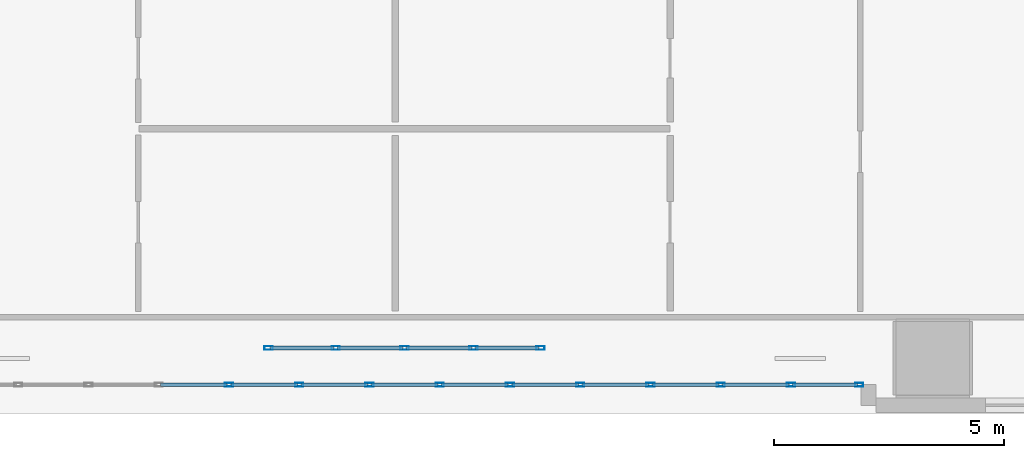
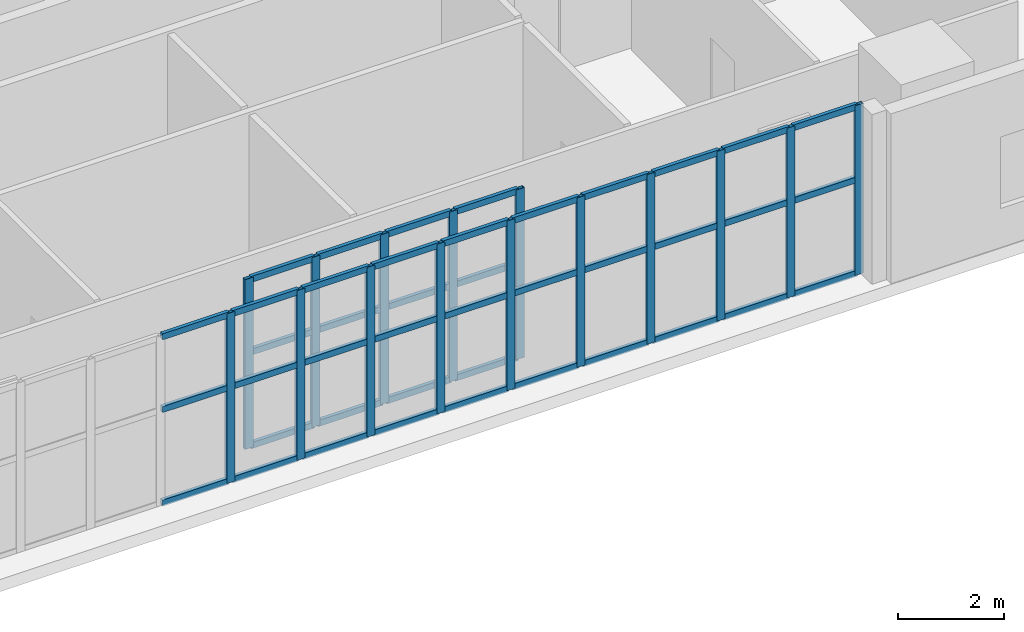
# One storey, part 4 of 24: 57 members, 2 elements without a shape of their own.
"""IFC4 building model written with IfcOpenShell, lengths in metres."""

from ifc_helpers import new_model, si_unit, direction, frame, origin, origin_2d, place, context, subcontext, project, spatial, hollow_rectangle, extrude, material, layer, layer_set, material_profile, profile_set, type_object, element, aggregate, save


model = new_model("IFC4")

# Units and contexts
model_context = context("Model", 3, precision=1e-05, world=origin(), true_north=direction((0.0, 1.0)))
body_context = subcontext(model_context, "Body", "Model", "MODEL_VIEW")
ifc_project = project(units=[si_unit("LENGTHUNIT", "METRE"), si_unit("AREAUNIT", "SQUARE_METRE"), si_unit("VOLUMEUNIT", "CUBIC_METRE"), si_unit("PLANEANGLEUNIT", "RADIAN"), si_unit("MASSUNIT", "GRAM", prefix="KILO")], contexts=[model_context])

# Site, building, storey
site_placement = place(None, origin())
site = spatial("IfcSite", under=ifc_project, at=site_placement, CompositionType="ELEMENT")
building_placement = place(site_placement, origin())
building = spatial("IfcBuilding", under=site, at=building_placement, Name="Solanera Arch Residences", CompositionType="ELEMENT")
storey_placement = place(building_placement, frame((0.0, 0.0, 5.199951171875)))
storey = spatial("IfcBuildingStorey", under=building, at=storey_placement, Name="L01", CompositionType="ELEMENT", Elevation=5.199951171875)

# Curtain wall, members
ifc_material_1 = material(Name="Anodised Aluminium Alloy 6063-T6", Category="aluminium")
ifc_layer = layer(ifc_material_1, 0.179931640625)
ifc_layer_set = layer_set([ifc_layer], Name="Anodised Aluminium Alloy 6063-T6")
curtain_wall_type = type_object("IfcCurtainWallType", Name="CW-1 Arch Portal Unitised Glazing", PredefinedType="USERDEFINED", material=ifc_layer_set)
curtain_wall_1_placement = place(storey_placement, origin())
curtain_wall_1 = element("IfcCurtainWall", 1, at=curtain_wall_1_placement, inside=storey, type_object=curtain_wall_type, Name="L01 Arch Portal Unitised Curtain Wall", ObjectType="CURTAIN_WALL", PredefinedType="USERDEFINED")
ifc_material_2 = material(Name="Anodised Aluminium Alloy 6063-T6", Category="aluminium")
ifc_material_profile_1 = material_profile(ifc_material_2, hollow_rectangle(XDim=0.080078125, YDim=0.179931640625, WallThickness=0.00390625, at=origin_2d()))
ifc_profile_set_1 = profile_set([ifc_material_profile_1], Name="Anodised Aluminium Alloy 6063-T6")
member_type_1 = type_object("IfcMemberType", Name="Curtain Wall Mullion ALU-MUL-80X180", PredefinedType="MULLION", material=ifc_profile_set_1)
member_1_placement = place(storey_placement, frame((34.89990234375, 10.6298828125, 0.0), z_axis=(0.0, 0.0, 1.0), x_axis=(0.0, -1.0, 0.0)))
member_1 = element("IfcMember", 2, at=member_1_placement, type_object=member_type_1, Name="CW-1 mullion 1", PredefinedType="MULLION", context=body_context, shape_type="SweptSolid", body=[
    extrude(hollow_rectangle(XDim=0.080078125, YDim=0.179931640625, WallThickness=0.00390625, at=origin_2d()), origin(), (0.0, 0.0, 1.0), 3.920166015625),
])
member_2_placement = place(storey_placement, frame((33.410888671875, 10.6298828125, 0.0), z_axis=(0.0, 0.0, 1.0), x_axis=(0.0, -1.0, 0.0)))
member_2 = element("IfcMember", 3, at=member_2_placement, type_object=member_type_1, Name="CW-1 mullion 2", PredefinedType="MULLION", context=body_context, shape_type="SweptSolid", body=[
    extrude(hollow_rectangle(XDim=0.080078125, YDim=0.179931640625, WallThickness=0.00390625, at=origin_2d()), origin(), (0.0, 0.0, 1.0), 3.920166015625),
])
member_3_placement = place(storey_placement, frame((31.881591796875, 10.6298828125, 0.0), z_axis=(0.0, 0.0, 1.0), x_axis=(0.0, -1.0, 0.0)))
member_3 = element("IfcMember", 4, at=member_3_placement, type_object=member_type_1, Name="CW-1 mullion 3", PredefinedType="MULLION", context=body_context, shape_type="SweptSolid", body=[
    extrude(hollow_rectangle(XDim=0.080078125, YDim=0.179931640625, WallThickness=0.00390625, at=origin_2d()), origin(), (0.0, 0.0, 1.0), 3.920166015625),
])
member_4_placement = place(storey_placement, frame((30.352294921875, 10.6298828125, 0.0), z_axis=(0.0, 0.0, 1.0), x_axis=(0.0, -1.0, 0.0)))
member_4 = element("IfcMember", 5, at=member_4_placement, type_object=member_type_1, Name="CW-1 mullion 4", PredefinedType="MULLION", context=body_context, shape_type="SweptSolid", body=[
    extrude(hollow_rectangle(XDim=0.080078125, YDim=0.179931640625, WallThickness=0.00390625, at=origin_2d()), origin(), (0.0, 0.0, 1.0), 3.920166015625),
])
member_5_placement = place(storey_placement, frame((28.822998046875, 10.6298828125, 0.0), z_axis=(0.0, 0.0, 1.0), x_axis=(0.0, -1.0, 0.0)))
member_5 = element("IfcMember", 6, at=member_5_placement, type_object=member_type_1, Name="CW-1 mullion 5", PredefinedType="MULLION", context=body_context, shape_type="SweptSolid", body=[
    extrude(hollow_rectangle(XDim=0.080078125, YDim=0.179931640625, WallThickness=0.00390625, at=origin_2d()), origin(), (0.0, 0.0, 1.0), 3.920166015625),
])
member_6_placement = place(storey_placement, frame((27.2939453125, 10.6298828125, 0.0), z_axis=(0.0, 0.0, 1.0), x_axis=(0.0, -1.0, 0.0)))
member_6 = element("IfcMember", 7, at=member_6_placement, type_object=member_type_1, Name="CW-1 mullion 6", PredefinedType="MULLION", context=body_context, shape_type="SweptSolid", body=[
    extrude(hollow_rectangle(XDim=0.080078125, YDim=0.179931640625, WallThickness=0.00390625, at=origin_2d()), origin(), (0.0, 0.0, 1.0), 3.920166015625),
])
member_7_placement = place(storey_placement, frame((25.7646484375, 10.6298828125, 0.0), z_axis=(0.0, 0.0, 1.0), x_axis=(0.0, -1.0, 0.0)))
member_7 = element("IfcMember", 8, at=member_7_placement, type_object=member_type_1, Name="CW-1 mullion 7", PredefinedType="MULLION", context=body_context, shape_type="SweptSolid", body=[
    extrude(hollow_rectangle(XDim=0.080078125, YDim=0.179931640625, WallThickness=0.00390625, at=origin_2d()), origin(), (0.0, 0.0, 1.0), 3.920166015625),
])
member_8_placement = place(storey_placement, frame((24.2353515625, 10.6298828125, 0.0), z_axis=(0.0, 0.0, 1.0), x_axis=(0.0, -1.0, 0.0)))
member_8 = element("IfcMember", 9, at=member_8_placement, type_object=member_type_1, Name="CW-1 mullion 8", PredefinedType="MULLION", context=body_context, shape_type="SweptSolid", body=[
    extrude(hollow_rectangle(XDim=0.080078125, YDim=0.179931640625, WallThickness=0.00390625, at=origin_2d()), origin(), (0.0, 0.0, 1.0), 3.920166015625),
])
member_9_placement = place(storey_placement, frame((22.7060546875, 10.6298828125, 0.0), z_axis=(0.0, 0.0, 1.0), x_axis=(0.0, -1.0, 0.0)))
member_9 = element("IfcMember", 10, at=member_9_placement, type_object=member_type_1, Name="CW-1 mullion 9", PredefinedType="MULLION", context=body_context, shape_type="SweptSolid", body=[
    extrude(hollow_rectangle(XDim=0.080078125, YDim=0.179931640625, WallThickness=0.00390625, at=origin_2d()), origin(), (0.0, 0.0, 1.0), 3.920166015625),
])
member_10_placement = place(storey_placement, frame((21.177001953125, 10.6298828125, 0.0), z_axis=(0.0, 0.0, 1.0), x_axis=(0.0, -1.0, 0.0)))
member_10 = element("IfcMember", 11, at=member_10_placement, type_object=member_type_1, Name="CW-1 mullion 10", PredefinedType="MULLION", context=body_context, shape_type="SweptSolid", body=[
    extrude(hollow_rectangle(XDim=0.080078125, YDim=0.179931640625, WallThickness=0.00390625, at=origin_2d()), origin(), (0.0, 0.0, 1.0), 3.920166015625),
])

curtain_wall_2_placement = place(storey_placement, origin())
curtain_wall_2 = element("IfcCurtainWall", 12, at=curtain_wall_2_placement, inside=storey, type_object=curtain_wall_type, Name="L01 Arch Vestibule Windscreen Curtain Wall", ObjectType="CURTAIN_WALL", PredefinedType="USERDEFINED")
member_11_placement = place(storey_placement, frame((27.9599609375, 11.429931640625, 0.0), z_axis=(0.0, 0.0, 1.0), x_axis=(0.0, -1.0, 0.0)))
member_11 = element("IfcMember", 13, at=member_11_placement, type_object=member_type_1, Name="CW-1 mullion 1", PredefinedType="MULLION", context=body_context, shape_type="SweptSolid", body=[
    extrude(hollow_rectangle(XDim=0.080078125, YDim=0.179931640625, WallThickness=0.00390625, at=origin_2d()), origin(), (0.0, 0.0, 1.0), 3.920166015625),
])
member_12_placement = place(storey_placement, frame((26.5, 11.429931640625, 0.0), z_axis=(0.0, 0.0, 1.0), x_axis=(0.0, -1.0, 0.0)))
member_12 = element("IfcMember", 14, at=member_12_placement, type_object=member_type_1, Name="CW-1 mullion 2", PredefinedType="MULLION", context=body_context, shape_type="SweptSolid", body=[
    extrude(hollow_rectangle(XDim=0.080078125, YDim=0.179931640625, WallThickness=0.00390625, at=origin_2d()), origin(), (0.0, 0.0, 1.0), 3.920166015625),
])
member_13_placement = place(storey_placement, frame((25.0, 11.429931640625, 0.0), z_axis=(0.0, 0.0, 1.0), x_axis=(0.0, -1.0, 0.0)))
member_13 = element("IfcMember", 15, at=member_13_placement, type_object=member_type_1, Name="CW-1 mullion 3", PredefinedType="MULLION", context=body_context, shape_type="SweptSolid", body=[
    extrude(hollow_rectangle(XDim=0.080078125, YDim=0.179931640625, WallThickness=0.00390625, at=origin_2d()), origin(), (0.0, 0.0, 1.0), 3.920166015625),
])
member_14_placement = place(storey_placement, frame((23.5, 11.429931640625, 0.0), z_axis=(0.0, 0.0, 1.0), x_axis=(0.0, -1.0, 0.0)))
member_14 = element("IfcMember", 16, at=member_14_placement, type_object=member_type_1, Name="CW-1 mullion 4", PredefinedType="MULLION", context=body_context, shape_type="SweptSolid", body=[
    extrude(hollow_rectangle(XDim=0.080078125, YDim=0.179931640625, WallThickness=0.00390625, at=origin_2d()), origin(), (0.0, 0.0, 1.0), 3.920166015625),
])
member_15_placement = place(storey_placement, frame((22.0400390625, 11.429931640625, 0.0), z_axis=(0.0, 0.0, 1.0), x_axis=(0.0, -1.0, 0.0)))
member_15 = element("IfcMember", 17, at=member_15_placement, type_object=member_type_1, Name="CW-1 mullion 5", PredefinedType="MULLION", context=body_context, shape_type="SweptSolid", body=[
    extrude(hollow_rectangle(XDim=0.080078125, YDim=0.179931640625, WallThickness=0.00390625, at=origin_2d()), origin(), (0.0, 0.0, 1.0), 3.920166015625),
])

# Member
ifc_material_3 = material(Name="Anodised Aluminium Alloy 6063-T6", Category="aluminium")
ifc_material_profile_2 = material_profile(ifc_material_3, hollow_rectangle(XDim=0.080078125, YDim=0.139892578125, WallThickness=0.00390625, at=origin_2d()))
ifc_profile_set_2 = profile_set([ifc_material_profile_2], Name="Anodised Aluminium Alloy 6063-T6")
member_type_2 = type_object("IfcMemberType", Name="Curtain Wall Transom ALU-TRN-80X140", PredefinedType="USERDEFINED", material=ifc_profile_set_2)
member_16_placement = place(storey_placement, frame((34.860107421875, 10.6298828125, 0.0400390625), z_axis=(-1.0, 0.0, 0.0), x_axis=(0.0, -1.0, 0.0)))
member_16 = element("IfcMember", 18, at=member_16_placement, type_object=member_type_2, Name="CW-1 transom 1.1", ObjectType="TRANSOM", PredefinedType="USERDEFINED", context=body_context, shape_type="SweptSolid", body=[
    extrude(hollow_rectangle(XDim=0.080078125, YDim=0.139892578125, WallThickness=0.00390625, at=origin_2d()), origin(), (0.0, 0.0, 1.0), 1.409423828125),
])

member_17_placement = place(storey_placement, frame((34.860107421875, 10.6298828125, 2.199951171875), z_axis=(-1.0, 0.0, 0.0), x_axis=(0.0, -1.0, 0.0)))
member_17 = element("IfcMember", 19, at=member_17_placement, type_object=member_type_2, Name="CW-1 transom 1.2", ObjectType="TRANSOM", PredefinedType="USERDEFINED", context=body_context, shape_type="SweptSolid", body=[
    extrude(hollow_rectangle(XDim=0.080078125, YDim=0.139892578125, WallThickness=0.00390625, at=origin_2d()), origin(), (0.0, 0.0, 1.0), 1.409423828125),
])

member_18_placement = place(storey_placement, frame((34.860107421875, 10.6298828125, 3.880126953125), z_axis=(-1.0, 0.0, 0.0), x_axis=(0.0, -1.0, 0.0)))
member_18 = element("IfcMember", 20, at=member_18_placement, type_object=member_type_2, Name="CW-1 transom 1.3", ObjectType="TRANSOM", PredefinedType="USERDEFINED", context=body_context, shape_type="SweptSolid", body=[
    extrude(hollow_rectangle(XDim=0.080078125, YDim=0.139892578125, WallThickness=0.00390625, at=origin_2d()), origin(), (0.0, 0.0, 1.0), 1.409423828125),
])

member_19_placement = place(storey_placement, frame((33.370849609375, 10.6298828125, 0.0400390625), z_axis=(-1.0, 0.0, 0.0), x_axis=(0.0, -1.0, 0.0)))
member_19 = element("IfcMember", 21, at=member_19_placement, type_object=member_type_2, Name="CW-1 transom 2.1", ObjectType="TRANSOM", PredefinedType="USERDEFINED", context=body_context, shape_type="SweptSolid", body=[
    extrude(hollow_rectangle(XDim=0.080078125, YDim=0.139892578125, WallThickness=0.00390625, at=origin_2d()), origin(), (0.0, 0.0, 1.0), 1.44921875),
])

member_20_placement = place(storey_placement, frame((33.370849609375, 10.6298828125, 2.199951171875), z_axis=(-1.0, 0.0, 0.0), x_axis=(0.0, -1.0, 0.0)))
member_20 = element("IfcMember", 22, at=member_20_placement, type_object=member_type_2, Name="CW-1 transom 2.2", ObjectType="TRANSOM", PredefinedType="USERDEFINED", context=body_context, shape_type="SweptSolid", body=[
    extrude(hollow_rectangle(XDim=0.080078125, YDim=0.139892578125, WallThickness=0.00390625, at=origin_2d()), origin(), (0.0, 0.0, 1.0), 1.44921875),
])

member_21_placement = place(storey_placement, frame((33.370849609375, 10.6298828125, 3.880126953125), z_axis=(-1.0, 0.0, 0.0), x_axis=(0.0, -1.0, 0.0)))
member_21 = element("IfcMember", 23, at=member_21_placement, type_object=member_type_2, Name="CW-1 transom 2.3", ObjectType="TRANSOM", PredefinedType="USERDEFINED", context=body_context, shape_type="SweptSolid", body=[
    extrude(hollow_rectangle(XDim=0.080078125, YDim=0.139892578125, WallThickness=0.00390625, at=origin_2d()), origin(), (0.0, 0.0, 1.0), 1.44921875),
])

member_22_placement = place(storey_placement, frame((31.841552734375, 10.6298828125, 0.0400390625), z_axis=(-1.0, 0.0, 0.0), x_axis=(0.0, -1.0, 0.0)))
member_22 = element("IfcMember", 24, at=member_22_placement, type_object=member_type_2, Name="CW-1 transom 3.1", ObjectType="TRANSOM", PredefinedType="USERDEFINED", context=body_context, shape_type="SweptSolid", body=[
    extrude(hollow_rectangle(XDim=0.080078125, YDim=0.139892578125, WallThickness=0.00390625, at=origin_2d()), origin(), (0.0, 0.0, 1.0), 1.44921875),
])

member_23_placement = place(storey_placement, frame((31.841552734375, 10.6298828125, 2.199951171875), z_axis=(-1.0, 0.0, 0.0), x_axis=(0.0, -1.0, 0.0)))
member_23 = element("IfcMember", 25, at=member_23_placement, type_object=member_type_2, Name="CW-1 transom 3.2", ObjectType="TRANSOM", PredefinedType="USERDEFINED", context=body_context, shape_type="SweptSolid", body=[
    extrude(hollow_rectangle(XDim=0.080078125, YDim=0.139892578125, WallThickness=0.00390625, at=origin_2d()), origin(), (0.0, 0.0, 1.0), 1.44921875),
])

member_24_placement = place(storey_placement, frame((31.841552734375, 10.6298828125, 3.880126953125), z_axis=(-1.0, 0.0, 0.0), x_axis=(0.0, -1.0, 0.0)))
member_24 = element("IfcMember", 26, at=member_24_placement, type_object=member_type_2, Name="CW-1 transom 3.3", ObjectType="TRANSOM", PredefinedType="USERDEFINED", context=body_context, shape_type="SweptSolid", body=[
    extrude(hollow_rectangle(XDim=0.080078125, YDim=0.139892578125, WallThickness=0.00390625, at=origin_2d()), origin(), (0.0, 0.0, 1.0), 1.44921875),
])

member_25_placement = place(storey_placement, frame((30.312255859375, 10.6298828125, 0.0400390625), z_axis=(-1.0, 0.0, 0.0), x_axis=(0.0, -1.0, 0.0)))
member_25 = element("IfcMember", 27, at=member_25_placement, type_object=member_type_2, Name="CW-1 transom 4.1", ObjectType="TRANSOM", PredefinedType="USERDEFINED", context=body_context, shape_type="SweptSolid", body=[
    extrude(hollow_rectangle(XDim=0.080078125, YDim=0.139892578125, WallThickness=0.00390625, at=origin_2d()), origin(), (0.0, 0.0, 1.0), 1.44921875),
])

member_26_placement = place(storey_placement, frame((30.312255859375, 10.6298828125, 2.199951171875), z_axis=(-1.0, 0.0, 0.0), x_axis=(0.0, -1.0, 0.0)))
member_26 = element("IfcMember", 28, at=member_26_placement, type_object=member_type_2, Name="CW-1 transom 4.2", ObjectType="TRANSOM", PredefinedType="USERDEFINED", context=body_context, shape_type="SweptSolid", body=[
    extrude(hollow_rectangle(XDim=0.080078125, YDim=0.139892578125, WallThickness=0.00390625, at=origin_2d()), origin(), (0.0, 0.0, 1.0), 1.44921875),
])

member_27_placement = place(storey_placement, frame((30.312255859375, 10.6298828125, 3.880126953125), z_axis=(-1.0, 0.0, 0.0), x_axis=(0.0, -1.0, 0.0)))
member_27 = element("IfcMember", 29, at=member_27_placement, type_object=member_type_2, Name="CW-1 transom 4.3", ObjectType="TRANSOM", PredefinedType="USERDEFINED", context=body_context, shape_type="SweptSolid", body=[
    extrude(hollow_rectangle(XDim=0.080078125, YDim=0.139892578125, WallThickness=0.00390625, at=origin_2d()), origin(), (0.0, 0.0, 1.0), 1.44921875),
])

member_28_placement = place(storey_placement, frame((28.782958984375, 10.6298828125, 0.0400390625), z_axis=(-1.0, 0.0, 0.0), x_axis=(0.0, -1.0, 0.0)))
member_28 = element("IfcMember", 30, at=member_28_placement, type_object=member_type_2, Name="CW-1 transom 5.1", ObjectType="TRANSOM", PredefinedType="USERDEFINED", context=body_context, shape_type="SweptSolid", body=[
    extrude(hollow_rectangle(XDim=0.080078125, YDim=0.139892578125, WallThickness=0.00390625, at=origin_2d()), origin(), (0.0, 0.0, 1.0), 1.44921875),
])

member_29_placement = place(storey_placement, frame((28.782958984375, 10.6298828125, 2.199951171875), z_axis=(-1.0, 0.0, 0.0), x_axis=(0.0, -1.0, 0.0)))
member_29 = element("IfcMember", 31, at=member_29_placement, type_object=member_type_2, Name="CW-1 transom 5.2", ObjectType="TRANSOM", PredefinedType="USERDEFINED", context=body_context, shape_type="SweptSolid", body=[
    extrude(hollow_rectangle(XDim=0.080078125, YDim=0.139892578125, WallThickness=0.00390625, at=origin_2d()), origin(), (0.0, 0.0, 1.0), 1.44921875),
])

member_30_placement = place(storey_placement, frame((28.782958984375, 10.6298828125, 3.880126953125), z_axis=(-1.0, 0.0, 0.0), x_axis=(0.0, -1.0, 0.0)))
member_30 = element("IfcMember", 32, at=member_30_placement, type_object=member_type_2, Name="CW-1 transom 5.3", ObjectType="TRANSOM", PredefinedType="USERDEFINED", context=body_context, shape_type="SweptSolid", body=[
    extrude(hollow_rectangle(XDim=0.080078125, YDim=0.139892578125, WallThickness=0.00390625, at=origin_2d()), origin(), (0.0, 0.0, 1.0), 1.44921875),
])

member_31_placement = place(storey_placement, frame((27.25390625, 10.6298828125, 0.0400390625), z_axis=(-1.0, 0.0, 0.0), x_axis=(0.0, -1.0, 0.0)))
member_31 = element("IfcMember", 33, at=member_31_placement, type_object=member_type_2, Name="CW-1 transom 6.1", ObjectType="TRANSOM", PredefinedType="USERDEFINED", context=body_context, shape_type="SweptSolid", body=[
    extrude(hollow_rectangle(XDim=0.080078125, YDim=0.139892578125, WallThickness=0.00390625, at=origin_2d()), origin(), (0.0, 0.0, 1.0), 1.44921875),
])

member_32_placement = place(storey_placement, frame((27.25390625, 10.6298828125, 2.199951171875), z_axis=(-1.0, 0.0, 0.0), x_axis=(0.0, -1.0, 0.0)))
member_32 = element("IfcMember", 34, at=member_32_placement, type_object=member_type_2, Name="CW-1 transom 6.2", ObjectType="TRANSOM", PredefinedType="USERDEFINED", context=body_context, shape_type="SweptSolid", body=[
    extrude(hollow_rectangle(XDim=0.080078125, YDim=0.139892578125, WallThickness=0.00390625, at=origin_2d()), origin(), (0.0, 0.0, 1.0), 1.44921875),
])

member_33_placement = place(storey_placement, frame((27.25390625, 10.6298828125, 3.880126953125), z_axis=(-1.0, 0.0, 0.0), x_axis=(0.0, -1.0, 0.0)))
member_33 = element("IfcMember", 35, at=member_33_placement, type_object=member_type_2, Name="CW-1 transom 6.3", ObjectType="TRANSOM", PredefinedType="USERDEFINED", context=body_context, shape_type="SweptSolid", body=[
    extrude(hollow_rectangle(XDim=0.080078125, YDim=0.139892578125, WallThickness=0.00390625, at=origin_2d()), origin(), (0.0, 0.0, 1.0), 1.44921875),
])

member_34_placement = place(storey_placement, frame((25.724609375, 10.6298828125, 0.0400390625), z_axis=(-1.0, 0.0, 0.0), x_axis=(0.0, -1.0, 0.0)))
member_34 = element("IfcMember", 36, at=member_34_placement, type_object=member_type_2, Name="CW-1 transom 7.1", ObjectType="TRANSOM", PredefinedType="USERDEFINED", context=body_context, shape_type="SweptSolid", body=[
    extrude(hollow_rectangle(XDim=0.080078125, YDim=0.139892578125, WallThickness=0.00390625, at=origin_2d()), origin(), (0.0, 0.0, 1.0), 1.44921875),
])

member_35_placement = place(storey_placement, frame((25.724609375, 10.6298828125, 2.199951171875), z_axis=(-1.0, 0.0, 0.0), x_axis=(0.0, -1.0, 0.0)))
member_35 = element("IfcMember", 37, at=member_35_placement, type_object=member_type_2, Name="CW-1 transom 7.2", ObjectType="TRANSOM", PredefinedType="USERDEFINED", context=body_context, shape_type="SweptSolid", body=[
    extrude(hollow_rectangle(XDim=0.080078125, YDim=0.139892578125, WallThickness=0.00390625, at=origin_2d()), origin(), (0.0, 0.0, 1.0), 1.44921875),
])

member_36_placement = place(storey_placement, frame((25.724609375, 10.6298828125, 3.880126953125), z_axis=(-1.0, 0.0, 0.0), x_axis=(0.0, -1.0, 0.0)))
member_36 = element("IfcMember", 38, at=member_36_placement, type_object=member_type_2, Name="CW-1 transom 7.3", ObjectType="TRANSOM", PredefinedType="USERDEFINED", context=body_context, shape_type="SweptSolid", body=[
    extrude(hollow_rectangle(XDim=0.080078125, YDim=0.139892578125, WallThickness=0.00390625, at=origin_2d()), origin(), (0.0, 0.0, 1.0), 1.44921875),
])

member_37_placement = place(storey_placement, frame((24.1953125, 10.6298828125, 0.0400390625), z_axis=(-1.0, 0.0, 0.0), x_axis=(0.0, -1.0, 0.0)))
member_37 = element("IfcMember", 39, at=member_37_placement, type_object=member_type_2, Name="CW-1 transom 8.1", ObjectType="TRANSOM", PredefinedType="USERDEFINED", context=body_context, shape_type="SweptSolid", body=[
    extrude(hollow_rectangle(XDim=0.080078125, YDim=0.139892578125, WallThickness=0.00390625, at=origin_2d()), origin(), (0.0, 0.0, 1.0), 1.44921875),
])

member_38_placement = place(storey_placement, frame((24.1953125, 10.6298828125, 2.199951171875), z_axis=(-1.0, 0.0, 0.0), x_axis=(0.0, -1.0, 0.0)))
member_38 = element("IfcMember", 40, at=member_38_placement, type_object=member_type_2, Name="CW-1 transom 8.2", ObjectType="TRANSOM", PredefinedType="USERDEFINED", context=body_context, shape_type="SweptSolid", body=[
    extrude(hollow_rectangle(XDim=0.080078125, YDim=0.139892578125, WallThickness=0.00390625, at=origin_2d()), origin(), (0.0, 0.0, 1.0), 1.44921875),
])

member_39_placement = place(storey_placement, frame((24.1953125, 10.6298828125, 3.880126953125), z_axis=(-1.0, 0.0, 0.0), x_axis=(0.0, -1.0, 0.0)))
member_39 = element("IfcMember", 41, at=member_39_placement, type_object=member_type_2, Name="CW-1 transom 8.3", ObjectType="TRANSOM", PredefinedType="USERDEFINED", context=body_context, shape_type="SweptSolid", body=[
    extrude(hollow_rectangle(XDim=0.080078125, YDim=0.139892578125, WallThickness=0.00390625, at=origin_2d()), origin(), (0.0, 0.0, 1.0), 1.44921875),
])

member_40_placement = place(storey_placement, frame((22.666259765625, 10.6298828125, 0.0400390625), z_axis=(-1.0, 0.0, 0.0), x_axis=(0.0, -1.0, 0.0)))
member_40 = element("IfcMember", 42, at=member_40_placement, type_object=member_type_2, Name="CW-1 transom 9.1", ObjectType="TRANSOM", PredefinedType="USERDEFINED", context=body_context, shape_type="SweptSolid", body=[
    extrude(hollow_rectangle(XDim=0.080078125, YDim=0.139892578125, WallThickness=0.00390625, at=origin_2d()), origin(), (0.0, 0.0, 1.0), 1.44921875),
])

member_41_placement = place(storey_placement, frame((22.666259765625, 10.6298828125, 2.199951171875), z_axis=(-1.0, 0.0, 0.0), x_axis=(0.0, -1.0, 0.0)))
member_41 = element("IfcMember", 43, at=member_41_placement, type_object=member_type_2, Name="CW-1 transom 9.2", ObjectType="TRANSOM", PredefinedType="USERDEFINED", context=body_context, shape_type="SweptSolid", body=[
    extrude(hollow_rectangle(XDim=0.080078125, YDim=0.139892578125, WallThickness=0.00390625, at=origin_2d()), origin(), (0.0, 0.0, 1.0), 1.44921875),
])

member_42_placement = place(storey_placement, frame((22.666259765625, 10.6298828125, 3.880126953125), z_axis=(-1.0, 0.0, 0.0), x_axis=(0.0, -1.0, 0.0)))
member_42 = element("IfcMember", 44, at=member_42_placement, type_object=member_type_2, Name="CW-1 transom 9.3", ObjectType="TRANSOM", PredefinedType="USERDEFINED", context=body_context, shape_type="SweptSolid", body=[
    extrude(hollow_rectangle(XDim=0.080078125, YDim=0.139892578125, WallThickness=0.00390625, at=origin_2d()), origin(), (0.0, 0.0, 1.0), 1.44921875),
])

member_43_placement = place(storey_placement, frame((21.136962890625, 10.6298828125, 0.0400390625), z_axis=(-1.0, 0.0, 0.0), x_axis=(0.0, -1.0, 0.0)))
member_43 = element("IfcMember", 45, at=member_43_placement, type_object=member_type_2, Name="CW-1 transom 10.1", ObjectType="TRANSOM", PredefinedType="USERDEFINED", context=body_context, shape_type="SweptSolid", body=[
    extrude(hollow_rectangle(XDim=0.080078125, YDim=0.139892578125, WallThickness=0.00390625, at=origin_2d()), origin(), (0.0, 0.0, 1.0), 1.44921875),
])

member_44_placement = place(storey_placement, frame((21.136962890625, 10.6298828125, 2.199951171875), z_axis=(-1.0, 0.0, 0.0), x_axis=(0.0, -1.0, 0.0)))
member_44 = element("IfcMember", 46, at=member_44_placement, type_object=member_type_2, Name="CW-1 transom 10.2", ObjectType="TRANSOM", PredefinedType="USERDEFINED", context=body_context, shape_type="SweptSolid", body=[
    extrude(hollow_rectangle(XDim=0.080078125, YDim=0.139892578125, WallThickness=0.00390625, at=origin_2d()), origin(), (0.0, 0.0, 1.0), 1.44921875),
])

member_45_placement = place(storey_placement, frame((21.136962890625, 10.6298828125, 3.880126953125), z_axis=(-1.0, 0.0, 0.0), x_axis=(0.0, -1.0, 0.0)))
member_45 = element("IfcMember", 47, at=member_45_placement, type_object=member_type_2, Name="CW-1 transom 10.3", ObjectType="TRANSOM", PredefinedType="USERDEFINED", context=body_context, shape_type="SweptSolid", body=[
    extrude(hollow_rectangle(XDim=0.080078125, YDim=0.139892578125, WallThickness=0.00390625, at=origin_2d()), origin(), (0.0, 0.0, 1.0), 1.44921875),
])

aggregate(curtain_wall_1, [member_1, member_2, member_3, member_4, member_5, member_6, member_7, member_8, member_9, member_10, member_16, member_17, member_18, member_19, member_20, member_21, member_22, member_23, member_24, member_25, member_26, member_27, member_28, member_29, member_30, member_31, member_32, member_33, member_34, member_35, member_36, member_37, member_38, member_39, member_40, member_41, member_42, member_43, member_44, member_45])

member_46_placement = place(storey_placement, frame((27.919921875, 11.429931640625, 0.0400390625), z_axis=(-1.0, 0.0, 0.0), x_axis=(0.0, -1.0, 0.0)))
member_46 = element("IfcMember", 48, at=member_46_placement, type_object=member_type_2, Name="CW-1 transom 1.1", ObjectType="TRANSOM", PredefinedType="USERDEFINED", context=body_context, shape_type="SweptSolid", body=[
    extrude(hollow_rectangle(XDim=0.080078125, YDim=0.139892578125, WallThickness=0.00390625, at=origin_2d()), origin(), (0.0, 0.0, 1.0), 1.3798828125),
])

member_47_placement = place(storey_placement, frame((27.919921875, 11.429931640625, 2.199951171875), z_axis=(-1.0, 0.0, 0.0), x_axis=(0.0, -1.0, 0.0)))
member_47 = element("IfcMember", 49, at=member_47_placement, type_object=member_type_2, Name="CW-1 transom 1.2", ObjectType="TRANSOM", PredefinedType="USERDEFINED", context=body_context, shape_type="SweptSolid", body=[
    extrude(hollow_rectangle(XDim=0.080078125, YDim=0.139892578125, WallThickness=0.00390625, at=origin_2d()), origin(), (0.0, 0.0, 1.0), 1.3798828125),
])

member_48_placement = place(storey_placement, frame((27.919921875, 11.429931640625, 3.880126953125), z_axis=(-1.0, 0.0, 0.0), x_axis=(0.0, -1.0, 0.0)))
member_48 = element("IfcMember", 50, at=member_48_placement, type_object=member_type_2, Name="CW-1 transom 1.3", ObjectType="TRANSOM", PredefinedType="USERDEFINED", context=body_context, shape_type="SweptSolid", body=[
    extrude(hollow_rectangle(XDim=0.080078125, YDim=0.139892578125, WallThickness=0.00390625, at=origin_2d()), origin(), (0.0, 0.0, 1.0), 1.3798828125),
])

member_49_placement = place(storey_placement, frame((26.4599609375, 11.429931640625, 0.0400390625), z_axis=(-1.0, 0.0, 0.0), x_axis=(0.0, -1.0, 0.0)))
member_49 = element("IfcMember", 51, at=member_49_placement, type_object=member_type_2, Name="CW-1 transom 2.1", ObjectType="TRANSOM", PredefinedType="USERDEFINED", context=body_context, shape_type="SweptSolid", body=[
    extrude(hollow_rectangle(XDim=0.080078125, YDim=0.139892578125, WallThickness=0.00390625, at=origin_2d()), origin(), (0.0, 0.0, 1.0), 1.419921875),
])

member_50_placement = place(storey_placement, frame((26.4599609375, 11.429931640625, 2.199951171875), z_axis=(-1.0, 0.0, 0.0), x_axis=(0.0, -1.0, 0.0)))
member_50 = element("IfcMember", 52, at=member_50_placement, type_object=member_type_2, Name="CW-1 transom 2.2", ObjectType="TRANSOM", PredefinedType="USERDEFINED", context=body_context, shape_type="SweptSolid", body=[
    extrude(hollow_rectangle(XDim=0.080078125, YDim=0.139892578125, WallThickness=0.00390625, at=origin_2d()), origin(), (0.0, 0.0, 1.0), 1.419921875),
])

member_51_placement = place(storey_placement, frame((26.4599609375, 11.429931640625, 3.880126953125), z_axis=(-1.0, 0.0, 0.0), x_axis=(0.0, -1.0, 0.0)))
member_51 = element("IfcMember", 53, at=member_51_placement, type_object=member_type_2, Name="CW-1 transom 2.3", ObjectType="TRANSOM", PredefinedType="USERDEFINED", context=body_context, shape_type="SweptSolid", body=[
    extrude(hollow_rectangle(XDim=0.080078125, YDim=0.139892578125, WallThickness=0.00390625, at=origin_2d()), origin(), (0.0, 0.0, 1.0), 1.419921875),
])

member_52_placement = place(storey_placement, frame((24.9599609375, 11.429931640625, 0.0400390625), z_axis=(-1.0, 0.0, 0.0), x_axis=(0.0, -1.0, 0.0)))
member_52 = element("IfcMember", 54, at=member_52_placement, type_object=member_type_2, Name="CW-1 transom 3.1", ObjectType="TRANSOM", PredefinedType="USERDEFINED", context=body_context, shape_type="SweptSolid", body=[
    extrude(hollow_rectangle(XDim=0.080078125, YDim=0.139892578125, WallThickness=0.00390625, at=origin_2d()), origin(), (0.0, 0.0, 1.0), 1.419921875),
])

member_53_placement = place(storey_placement, frame((24.9599609375, 11.429931640625, 2.199951171875), z_axis=(-1.0, 0.0, 0.0), x_axis=(0.0, -1.0, 0.0)))
member_53 = element("IfcMember", 55, at=member_53_placement, type_object=member_type_2, Name="CW-1 transom 3.2", ObjectType="TRANSOM", PredefinedType="USERDEFINED", context=body_context, shape_type="SweptSolid", body=[
    extrude(hollow_rectangle(XDim=0.080078125, YDim=0.139892578125, WallThickness=0.00390625, at=origin_2d()), origin(), (0.0, 0.0, 1.0), 1.419921875),
])

member_54_placement = place(storey_placement, frame((24.9599609375, 11.429931640625, 3.880126953125), z_axis=(-1.0, 0.0, 0.0), x_axis=(0.0, -1.0, 0.0)))
member_54 = element("IfcMember", 56, at=member_54_placement, type_object=member_type_2, Name="CW-1 transom 3.3", ObjectType="TRANSOM", PredefinedType="USERDEFINED", context=body_context, shape_type="SweptSolid", body=[
    extrude(hollow_rectangle(XDim=0.080078125, YDim=0.139892578125, WallThickness=0.00390625, at=origin_2d()), origin(), (0.0, 0.0, 1.0), 1.419921875),
])

member_55_placement = place(storey_placement, frame((23.4599609375, 11.429931640625, 0.0400390625), z_axis=(-1.0, 0.0, 0.0), x_axis=(0.0, -1.0, 0.0)))
member_55 = element("IfcMember", 57, at=member_55_placement, type_object=member_type_2, Name="CW-1 transom 4.1", ObjectType="TRANSOM", PredefinedType="USERDEFINED", context=body_context, shape_type="SweptSolid", body=[
    extrude(hollow_rectangle(XDim=0.080078125, YDim=0.139892578125, WallThickness=0.00390625, at=origin_2d()), origin(), (0.0, 0.0, 1.0), 1.3798828125),
])

member_56_placement = place(storey_placement, frame((23.4599609375, 11.429931640625, 2.199951171875), z_axis=(-1.0, 0.0, 0.0), x_axis=(0.0, -1.0, 0.0)))
member_56 = element("IfcMember", 58, at=member_56_placement, type_object=member_type_2, Name="CW-1 transom 4.2", ObjectType="TRANSOM", PredefinedType="USERDEFINED", context=body_context, shape_type="SweptSolid", body=[
    extrude(hollow_rectangle(XDim=0.080078125, YDim=0.139892578125, WallThickness=0.00390625, at=origin_2d()), origin(), (0.0, 0.0, 1.0), 1.3798828125),
])

member_57_placement = place(storey_placement, frame((23.4599609375, 11.429931640625, 3.880126953125), z_axis=(-1.0, 0.0, 0.0), x_axis=(0.0, -1.0, 0.0)))
member_57 = element("IfcMember", 59, at=member_57_placement, type_object=member_type_2, Name="CW-1 transom 4.3", ObjectType="TRANSOM", PredefinedType="USERDEFINED", context=body_context, shape_type="SweptSolid", body=[
    extrude(hollow_rectangle(XDim=0.080078125, YDim=0.139892578125, WallThickness=0.00390625, at=origin_2d()), origin(), (0.0, 0.0, 1.0), 1.3798828125),
])

aggregate(curtain_wall_2, [member_11, member_12, member_13, member_14, member_15, member_46, member_47, member_48, member_49, member_50, member_51, member_52, member_53, member_54, member_55, member_56, member_57])

save(model, "model.ifc")
